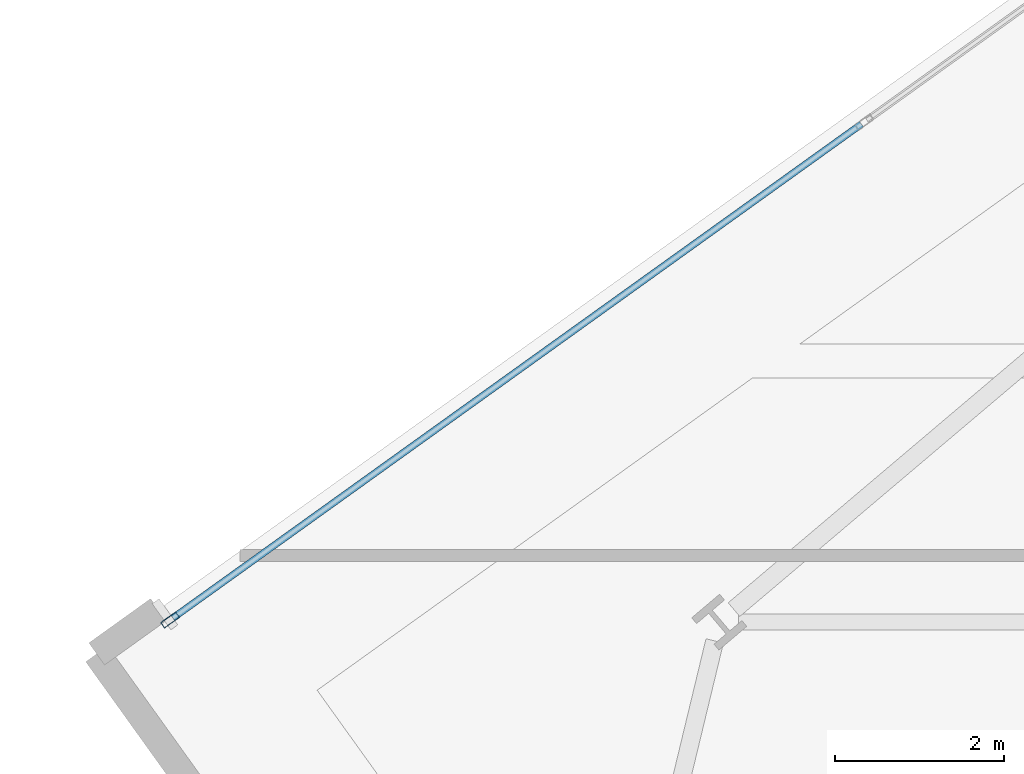
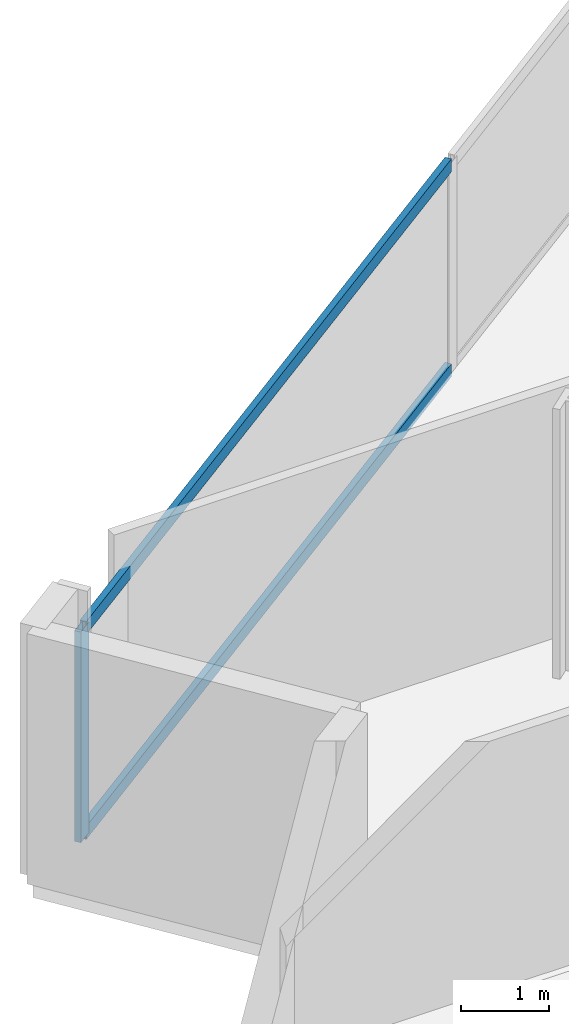
# One storey, part 13 of 33: 3 members, 1 element without a shape of its own.
"""IFC4 building model written with IfcOpenShell, lengths in metres."""

from ifc_helpers import new_model, si_unit, direction, frame, origin, origin_2d, place, context, subcontext, project, spatial, hollow_rectangle, extrude, material, material_profile, profile_set, type_object, element, aggregate, save


model = new_model("IFC4")

# Units and contexts
model_context = context("Model", 3, precision=1e-05, world=origin(), true_north=direction((0.0, 1.0)))
body_context = subcontext(model_context, "Body", "Model", "MODEL_VIEW")
ifc_project = project(units=[si_unit("LENGTHUNIT", "METRE"), si_unit("AREAUNIT", "SQUARE_METRE"), si_unit("VOLUMEUNIT", "CUBIC_METRE"), si_unit("PLANEANGLEUNIT", "RADIAN"), si_unit("MASSUNIT", "GRAM", prefix="KILO")], contexts=[model_context])

# Site, building, storey
site_placement = place(None, origin())
site = spatial("IfcSite", under=ifc_project, at=site_placement, CompositionType="ELEMENT")
building_placement = place(site_placement, origin())
building = spatial("IfcBuilding", under=site, at=building_placement, Name="Haldenkirk Collegiate Tower", CompositionType="ELEMENT")
storey_placement = place(building_placement, frame((0.0, 0.0, 148.199951171875)))
storey = spatial("IfcBuildingStorey", under=building, at=storey_placement, Name="L36", CompositionType="ELEMENT", Elevation=148.199951171875)

# Curtain wall, members
ifc_material = material(Name="Anodised architectural bronze aluminium", Category="aluminium")
curtain_wall_type = type_object("IfcCurtainWallType", Name="CW-SYS1-CONVEX-LOW", PredefinedType="USERDEFINED", material=ifc_material)
curtain_wall_placement = place(storey_placement, origin())
curtain_wall = element("IfcCurtainWall", 1, at=curtain_wall_placement, inside=storey, type_object=curtain_wall_type, Name="L36 Lower tower convex bronze-framed unitised curtain wall", ObjectType="UNITISED CURTAIN WALL", PredefinedType="USERDEFINED")
ifc_material_profile_1 = material_profile(ifc_material, hollow_rectangle(XDim=0.080078125, YDim=0.219970703125, WallThickness=0.0048828125, at=origin_2d()), Name="CW-MUL-1A")
ifc_profile_set_1 = profile_set([ifc_material_profile_1], Name="Anodised architectural bronze aluminium")
member_type_1 = type_object("IfcMemberType", Name="CW-MUL-1A", PredefinedType="MULLION", material=ifc_profile_set_1)
member_1_placement = place(storey_placement, frame((5.770263671875, 33.38525390625, 0.0), z_axis=(0.0, 0.0, 1.0), x_axis=(-0.582830736817, 0.81259358367, 0.0)))
member_1 = element("IfcMember", 2, at=member_1_placement, type_object=member_type_1, Name="CW-1A mullion 1", PredefinedType="MULLION", context=body_context, shape_type="SweptSolid", body=[
    extrude(hollow_rectangle(XDim=0.080078125, YDim=0.219970703125, WallThickness=0.0048828125, at=origin_2d()), origin(), (0.0, 0.0, 1.0), 2.9111328125),
])
ifc_material_profile_2 = material_profile(ifc_material, hollow_rectangle(XDim=0.080078125, YDim=0.179931640625, WallThickness=0.0048828125, at=origin_2d()), Name="CW-TRN-1A")
ifc_profile_set_2 = profile_set([ifc_material_profile_2], Name="Anodised architectural bronze aluminium")
member_type_2 = type_object("IfcMemberType", Name="CW-TRN-1A", PredefinedType="USERDEFINED", material=ifc_profile_set_2)
member_2_placement = place(storey_placement, frame((5.802734375, 33.408447265625, 0.0400390625), z_axis=(0.812588873118, 0.582837304302, 0.0), x_axis=(-0.582837304302, 0.812588873118, 0.0)))
member_2 = element("IfcMember", 3, at=member_2_placement, type_object=member_type_2, Name="CW-1A transom 1.1", ObjectType="TRANSOM", PredefinedType="USERDEFINED", context=body_context, shape_type="SweptSolid", body=[
    extrude(hollow_rectangle(XDim=0.080078125, YDim=0.179931640625, WallThickness=0.0048828125, at=origin_2d()), origin(), (0.0, 0.0, 1.0), 10.0302734375),
])
member_3_placement = place(storey_placement, frame((5.802734375, 33.408447265625, 2.87109375), z_axis=(0.812588873118, 0.582837304302, 0.0), x_axis=(-0.582837304302, 0.812588873118, 0.0)))
member_3 = element("IfcMember", 4, at=member_3_placement, type_object=member_type_2, Name="CW-1A transom 1.2", ObjectType="TRANSOM", PredefinedType="USERDEFINED", context=body_context, shape_type="SweptSolid", body=[
    extrude(hollow_rectangle(XDim=0.080078125, YDim=0.179931640625, WallThickness=0.0048828125, at=origin_2d()), origin(), (0.0, 0.0, 1.0), 10.0302734375),
])
aggregate(curtain_wall, [member_1, member_2, member_3])

save(model, "model.ifc")
